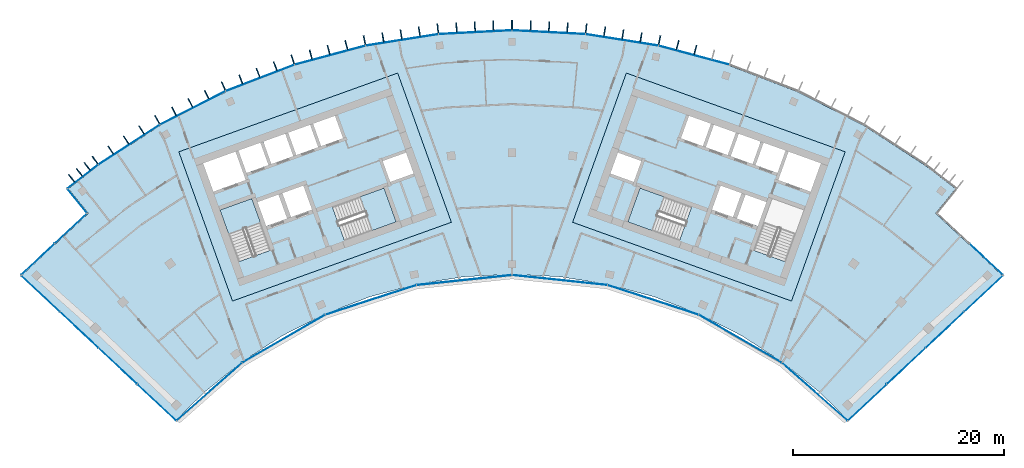
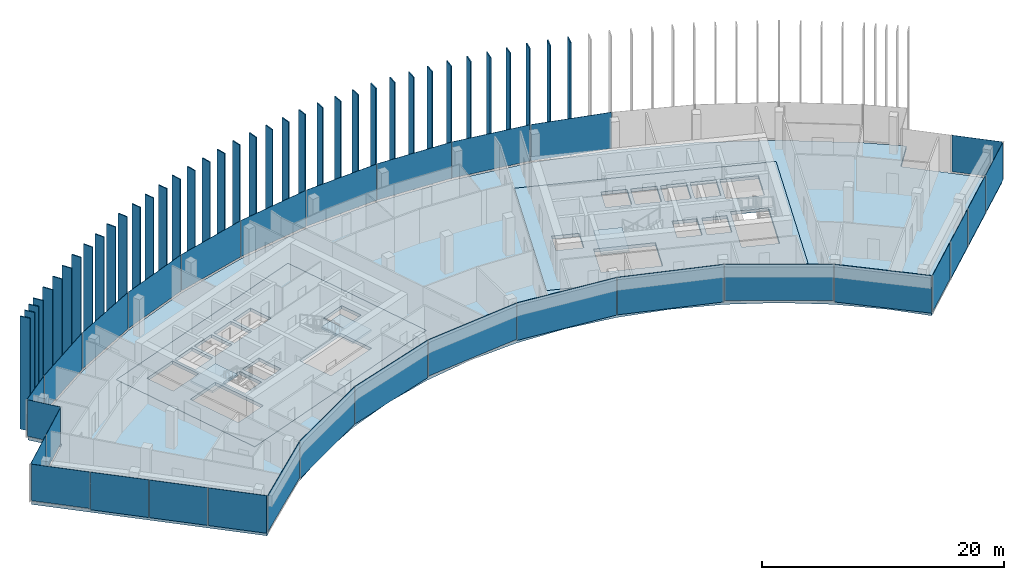
# One storey, part 11 of 18: 68 plates, 6 slabs, 10 elements without a shape of their own.
"""IFC4 building model written with IfcOpenShell, lengths in metres."""

from ifc_helpers import new_model, si_unit, direction, frame, origin, origin_2d, place, context, subcontext, project, spatial, polyline, rectangle, outline, extrude, material, layer, layer_set, type_object, element, aggregate, save


model = new_model("IFC4")

# Units and contexts
model_context = context("Model", 3, precision=1e-05, world=origin(), true_north=direction((0.0, 1.0)))
body_context = subcontext(model_context, "Body", "Model", "MODEL_VIEW")
ifc_project = project(units=[si_unit("LENGTHUNIT", "METRE"), si_unit("AREAUNIT", "SQUARE_METRE"), si_unit("VOLUMEUNIT", "CUBIC_METRE"), si_unit("PLANEANGLEUNIT", "RADIAN"), si_unit("MASSUNIT", "GRAM", prefix="KILO")], contexts=[model_context])

# Site, building, storey
site_placement = place(None, origin())
site = spatial("IfcSite", under=ifc_project, at=site_placement, CompositionType="ELEMENT")
building_placement = place(site_placement, origin())
building = spatial("IfcBuilding", under=site, at=building_placement, Name="Stone Belt Terrace Tower", CompositionType="ELEMENT")
storey_placement = place(building_placement, frame((0.0, 0.0, 269.39990234375)))
storey = spatial("IfcBuildingStorey", under=building, at=storey_placement, Name="L65", CompositionType="ELEMENT", Elevation=269.39990234375)

# Curtain wall, plates
ifc_material_1 = material(Name="Aluminium 6063-T6 anodised frame", Category="aluminium")
ifc_layer_1 = layer(ifc_material_1, 0.14990234375)
ifc_layer_set_1 = layer_set([ifc_layer_1], Name="CW-A unitised convex-face curtain wall")
curtain_wall_type_1 = type_object("IfcCurtainWallType", Name="CW-A unitised convex-face curtain wall", PredefinedType="NOTDEFINED", material=ifc_layer_set_1)
curtain_wall_1_placement = place(storey_placement, origin())
curtain_wall_1 = element("IfcCurtainWall", 1, at=curtain_wall_1_placement, inside=storey, type_object=curtain_wall_type_1, Name="CW-A convex face L65", PredefinedType="NOTDEFINED")
ifc_material_2 = material(Name="Clear double glazed unit")
ifc_layer_2 = layer(ifc_material_2, 0.031982421875)
ifc_layer_set_2 = layer_set([ifc_layer_2], Name="CW-A glass panel 32")
plate_type_1 = type_object("IfcPlateType", Name="CW-A glass panel 32", PredefinedType="CURTAIN_PANEL", material=ifc_layer_set_2)
plate_1_placement = place(storey_placement, frame((17.207275390625, 64.218505859375, 0.14013671875), z_axis=(0.0, 0.0, 1.0), x_axis=(-0.965925826289, 0.258819045103, 0.0)))
plate_1 = element("IfcPlate", 2, at=plate_1_placement, type_object=plate_type_1, Name="CW-A panel 5.1", PredefinedType="CURTAIN_PANEL", context=body_context, shape_type="SweptSolid", body=[
    extrude(rectangle(XDim=6.90087890625, YDim=0.031982421875, at=origin_2d()), origin(), (0.0, 0.0, 1.0), 3.659912109375),
])
plate_2_placement = place(storey_placement, frame((10.400390625, 65.665283203125, 0.14013671875), z_axis=(0.0, 0.0, 1.0), x_axis=(-0.987688340595, 0.15643446504, 0.0)))
plate_2 = element("IfcPlate", 3, at=plate_2_placement, type_object=plate_type_1, Name="CW-A panel 6.1", PredefinedType="CURTAIN_PANEL", context=body_context, shape_type="SweptSolid", body=[
    extrude(rectangle(XDim=6.90087890625, YDim=0.031982421875, at=origin_2d()), origin(), (0.0, 0.0, 1.0), 3.659912109375),
])
plate_3_placement = place(storey_placement, frame((3.4794921875, 66.392822265625, 0.14013671875), z_axis=(0.0, 0.0, 1.0), x_axis=(-0.998629534755, 0.052335956243, 0.0)))
plate_3 = element("IfcPlate", 4, at=plate_3_placement, type_object=plate_type_1, Name="CW-A panel 7.1", PredefinedType="CURTAIN_PANEL", context=body_context, shape_type="SweptSolid", body=[
    extrude(rectangle(XDim=6.90087890625, YDim=0.031982421875, at=origin_2d()), origin(), (0.0, 0.0, 1.0), 3.659912109375),
])
plate_4_placement = place(storey_placement, frame((-3.4794921875, 66.392822265625, 0.14013671875), z_axis=(0.0, 0.0, 1.0), x_axis=(-0.998629534755, -0.052335956243, 0.0)))
plate_4 = element("IfcPlate", 5, at=plate_4_placement, type_object=plate_type_1, Name="CW-A panel 8.1", PredefinedType="CURTAIN_PANEL", context=body_context, shape_type="SweptSolid", body=[
    extrude(rectangle(XDim=6.90087890625, YDim=0.031982421875, at=origin_2d()), origin(), (0.0, 0.0, 1.0), 3.659912109375),
])
plate_5_placement = place(storey_placement, frame((-10.400390625, 65.665283203125, 0.14013671875), z_axis=(0.0, 0.0, 1.0), x_axis=(-0.987688340595, -0.15643446504, 0.0)))
plate_5 = element("IfcPlate", 6, at=plate_5_placement, type_object=plate_type_1, Name="CW-A panel 9.1", PredefinedType="CURTAIN_PANEL", context=body_context, shape_type="SweptSolid", body=[
    extrude(rectangle(XDim=6.90087890625, YDim=0.031982421875, at=origin_2d()), origin(), (0.0, 0.0, 1.0), 3.659912109375),
])
plate_6_placement = place(storey_placement, frame((-17.207275390625, 64.218505859375, 0.14013671875), z_axis=(0.0, 0.0, 1.0), x_axis=(-0.965925826289, -0.258819045103, 0.0)))
plate_6 = element("IfcPlate", 7, at=plate_6_placement, type_object=plate_type_1, Name="CW-A panel 10.1", PredefinedType="CURTAIN_PANEL", context=body_context, shape_type="SweptSolid", body=[
    extrude(rectangle(XDim=6.90087890625, YDim=0.031982421875, at=origin_2d()), origin(), (0.0, 0.0, 1.0), 3.659912109375),
])
plate_7_placement = place(storey_placement, frame((-23.82568359375, 62.068115234375, 0.14013671875), z_axis=(0.0, 0.0, 1.0), x_axis=(-0.933580426497, -0.358367949545, 0.0)))
plate_7 = element("IfcPlate", 8, at=plate_7_placement, type_object=plate_type_1, Name="CW-A panel 11.1", PredefinedType="CURTAIN_PANEL", context=body_context, shape_type="SweptSolid", body=[
    extrude(rectangle(XDim=6.90087890625, YDim=0.031982421875, at=origin_2d()), origin(), (0.0, 0.0, 1.0), 3.659912109375),
])
plate_8_placement = place(storey_placement, frame((-30.18310546875, 59.237548828125, 0.14013671875), z_axis=(0.0, 0.0, 1.0), x_axis=(-0.891006524188, -0.45399049974, 0.0)))
plate_8 = element("IfcPlate", 9, at=plate_8_placement, type_object=plate_type_1, Name="CW-A panel 12.1", PredefinedType="CURTAIN_PANEL", context=body_context, shape_type="SweptSolid", body=[
    extrude(rectangle(XDim=6.90087890625, YDim=0.031982421875, at=origin_2d()), origin(), (0.0, 0.0, 1.0), 3.659912109375),
])
plate_9_placement = place(storey_placement, frame((-36.209716796875, 55.758056640625, 0.14013671875), z_axis=(0.0, 0.0, 1.0), x_axis=(-0.838670567945, -0.544639035015, 0.0)))
plate_9 = element("IfcPlate", 10, at=plate_9_placement, type_object=plate_type_1, Name="CW-A panel 13.1", PredefinedType="CURTAIN_PANEL", context=body_context, shape_type="SweptSolid", body=[
    extrude(rectangle(XDim=6.900634765625, YDim=0.031982421875, at=origin_2d()), origin(), (0.0, 0.0, 1.0), 3.659912109375),
])
plate_10_placement = place(storey_placement, frame((-40.583251953125, 52.744140625, 0.14013671875), z_axis=(0.0, 0.0, 1.0), x_axis=(-0.792693871824, -0.60961990254, 0.0)))
plate_10 = element("IfcPlate", 11, at=plate_10_placement, type_object=plate_type_1, Name="CW-A panel 14.1", PredefinedType="CURTAIN_PANEL", context=body_context, shape_type="SweptSolid", body=[
    extrude(rectangle(XDim=3.597900390625, YDim=0.031982421875, at=origin_2d()), origin(), (0.0, 0.0, 1.0), 3.659912109375),
])
aggregate(curtain_wall_1, [plate_1, plate_2, plate_3, plate_4, plate_5, plate_6, plate_7, plate_8, plate_9, plate_10])

ifc_layer_3 = layer(ifc_material_1, 0.14990234375)
ifc_layer_set_3 = layer_set([ifc_layer_3], Name="CW-B unitised concave-face curtain wall")
curtain_wall_type_2 = type_object("IfcCurtainWallType", Name="CW-B unitised concave-face curtain wall", PredefinedType="NOTDEFINED", material=ifc_layer_set_3)
curtain_wall_2_placement = place(storey_placement, origin())
curtain_wall_2 = element("IfcCurtainWall", 12, at=curtain_wall_2_placement, inside=storey, type_object=curtain_wall_type_2, Name="CW-B concave face L65", PredefinedType="NOTDEFINED")
ifc_layer_4 = layer(ifc_material_2, 0.030029296875)
ifc_layer_set_4 = layer_set([ifc_layer_4], Name="CW-B glass panel 30")
plate_type_2 = type_object("IfcPlateType", Name="CW-B glass panel 30", PredefinedType="CURTAIN_PANEL", material=ifc_layer_set_4)
plate_11_placement = place(storey_placement, frame((-28.624755859375, 32.39404296875, 0.1201171875), z_axis=(0.0, 0.0, 1.0), x_axis=(0.749658646805, 0.661824684694, 0.0)))
plate_11 = element("IfcPlate", 13, at=plate_11_placement, type_object=plate_type_2, Name="CW-B panel 1.1", PredefinedType="CURTAIN_PANEL", context=body_context, shape_type="SweptSolid", body=[
    extrude(rectangle(XDim=8.2060546875, YDim=0.030029296875, at=origin_2d()), origin(), (0.0, 0.0, 1.0), 3.679931640625),
])
plate_12_placement = place(storey_placement, frame((-21.59375, 37.400634765625, 0.0), z_axis=(0.0, 0.0, 1.0), x_axis=(0.866025403784, 0.5, 0.0)))
plate_12 = element("IfcPlate", 14, at=plate_12_placement, type_object=plate_type_2, Name="CW-B panel 2.1", PredefinedType="CURTAIN_PANEL", context=body_context, shape_type="SweptSolid", body=[
    extrude(rectangle(XDim=9.013427734375, YDim=0.030029296875, at=origin_2d()), origin(), (0.0, 0.0, 1.0), 3.800048828125),
])
plate_13_placement = place(storey_placement, frame((-13.345458984375, 41.072998046875, 0.0), z_axis=(0.0, 0.0, 1.0), x_axis=(0.951056516295, 0.309016994375, 0.0)))
plate_13 = element("IfcPlate", 15, at=plate_13_placement, type_object=plate_type_2, Name="CW-B panel 3.1", PredefinedType="CURTAIN_PANEL", context=body_context, shape_type="SweptSolid", body=[
    extrude(rectangle(XDim=9.0126953125, YDim=0.030029296875, at=origin_2d()), origin(), (0.0, 0.0, 1.0), 3.800048828125),
])
plate_14_placement = place(storey_placement, frame((-4.51416015625, 42.9501953125, 0.1201171875), z_axis=(0.0, 0.0, 1.0), x_axis=(0.994521895368, 0.104528463268, 0.0)))
plate_14 = element("IfcPlate", 16, at=plate_14_placement, type_object=plate_type_2, Name="CW-B panel 4.1", PredefinedType="CURTAIN_PANEL", context=body_context, shape_type="SweptSolid", body=[
    extrude(rectangle(XDim=9.0126953125, YDim=0.030029296875, at=origin_2d()), origin(), (0.0, 0.0, 1.0), 3.679931640625),
])
plate_15_placement = place(storey_placement, frame((4.51416015625, 42.9501953125, 0.0), z_axis=(0.0, 0.0, 1.0), x_axis=(0.994521895368, -0.104528463268, 0.0)))
plate_15 = element("IfcPlate", 17, at=plate_15_placement, type_object=plate_type_2, Name="CW-B panel 5.1", PredefinedType="CURTAIN_PANEL", context=body_context, shape_type="SweptSolid", body=[
    extrude(rectangle(XDim=9.0126953125, YDim=0.030029296875, at=origin_2d()), origin(), (0.0, 0.0, 1.0), 3.800048828125),
])
plate_16_placement = place(storey_placement, frame((13.345458984375, 41.072998046875, 0.0), z_axis=(0.0, 0.0, 1.0), x_axis=(0.951056516295, -0.309016994375, 0.0)))
plate_16 = element("IfcPlate", 18, at=plate_16_placement, type_object=plate_type_2, Name="CW-B panel 6.1", PredefinedType="CURTAIN_PANEL", context=body_context, shape_type="SweptSolid", body=[
    extrude(rectangle(XDim=9.0126953125, YDim=0.030029296875, at=origin_2d()), origin(), (0.0, 0.0, 1.0), 3.800048828125),
])
plate_17_placement = place(storey_placement, frame((21.59375, 37.400634765625, 0.1201171875), z_axis=(0.0, 0.0, 1.0), x_axis=(0.866025403784, -0.5, 0.0)))
plate_17 = element("IfcPlate", 19, at=plate_17_placement, type_object=plate_type_2, Name="CW-B panel 7.1", PredefinedType="CURTAIN_PANEL", context=body_context, shape_type="SweptSolid", body=[
    extrude(rectangle(XDim=9.013427734375, YDim=0.030029296875, at=origin_2d()), origin(), (0.0, 0.0, 1.0), 3.679931640625),
])
plate_18_placement = place(storey_placement, frame((28.624755859375, 32.39404296875, 0.0), z_axis=(0.0, 0.0, 1.0), x_axis=(0.749658646805, -0.661824684694, 0.0)))
plate_18 = element("IfcPlate", 20, at=plate_18_placement, type_object=plate_type_2, Name="CW-B panel 8.1", PredefinedType="CURTAIN_PANEL", context=body_context, shape_type="SweptSolid", body=[
    extrude(rectangle(XDim=8.2060546875, YDim=0.030029296875, at=origin_2d()), origin(), (0.0, 0.0, 1.0), 3.800048828125),
])
aggregate(curtain_wall_2, [plate_11, plate_12, plate_13, plate_14, plate_15, plate_16, plate_17, plate_18])

ifc_layer_5 = layer(ifc_material_1, 0.14990234375)
ifc_layer_set_5 = layer_set([ifc_layer_5], Name="CW-C stick curtain wall, horn ends and notches")
curtain_wall_type_3 = type_object("IfcCurtainWallType", Name="CW-C stick curtain wall, horn ends and notches", PredefinedType="NOTDEFINED", material=ifc_layer_set_5)
curtain_wall_3_placement = place(storey_placement, origin())
curtain_wall_3 = element("IfcCurtainWall", 21, at=curtain_wall_3_placement, inside=storey, type_object=curtain_wall_type_3, Name="CW-C end face L65", PredefinedType="NOTDEFINED")
ifc_layer_6 = layer(ifc_material_2, 0.028076171875)
ifc_layer_set_6 = layer_set([ifc_layer_6], Name="CW-C glass panel 28")
plate_type_3 = type_object("IfcPlateType", Name="CW-C glass panel 28", PredefinedType="CURTAIN_PANEL", material=ifc_layer_set_6)
plate_19_placement = place(storey_placement, frame((33.617431640625, 31.3798828125, 0.1201171875), z_axis=(0.0, 0.0, 1.0), x_axis=(0.729904219708, 0.683549434973, 0.0)))
plate_19 = element("IfcPlate", 22, at=plate_19_placement, type_object=plate_type_3, Name="CW-C panel 1.1", PredefinedType="CURTAIN_PANEL", context=body_context, shape_type="SweptSolid", body=[
    extrude(rectangle(XDim=4.965576171875, YDim=0.028076171875, at=origin_2d()), origin(), (0.0, 0.0, 1.0), 3.679931640625),
])
plate_20_placement = place(storey_placement, frame((37.2763671875, 34.806396484375, 0.0), z_axis=(0.0, 0.0, 1.0), x_axis=(0.729904219708, 0.683549434973, 0.0)))
plate_20 = element("IfcPlate", 23, at=plate_20_placement, type_object=plate_type_3, Name="CW-C panel 2.1", PredefinedType="CURTAIN_PANEL", context=body_context, shape_type="SweptSolid", body=[
    extrude(rectangle(XDim=4.93994140625, YDim=0.028076171875, at=origin_2d()), origin(), (0.0, 0.0, 1.0), 3.800048828125),
])
plate_21_placement = place(storey_placement, frame((40.92578125, 38.22412109375, 0.0), z_axis=(0.0, 0.0, 1.0), x_axis=(0.729904219708, 0.683549434973, 0.0)))
plate_21 = element("IfcPlate", 24, at=plate_21_placement, type_object=plate_type_3, Name="CW-C panel 3.1", PredefinedType="CURTAIN_PANEL", context=body_context, shape_type="SweptSolid", body=[
    extrude(rectangle(XDim=4.93994140625, YDim=0.028076171875, at=origin_2d()), origin(), (0.0, 0.0, 1.0), 3.800048828125),
])
plate_22_placement = place(storey_placement, frame((44.588134765625, 41.65380859375, 0.0), z_axis=(0.0, 0.0, 1.0), x_axis=(0.729904219708, 0.683549434973, 0.0)))
plate_22 = element("IfcPlate", 25, at=plate_22_placement, type_object=plate_type_3, Name="CW-C panel 4.1", PredefinedType="CURTAIN_PANEL", context=body_context, shape_type="SweptSolid", body=[
    extrude(rectangle(XDim=4.974853515625, YDim=0.028076171875, at=origin_2d()), origin(), (0.0, 0.0, 1.0), 3.800048828125),
])
aggregate(curtain_wall_3, [plate_19, plate_20, plate_21, plate_22])

# Curtain wall, plate
curtain_wall_4_placement = place(storey_placement, origin())
curtain_wall_4 = element("IfcCurtainWall", 26, at=curtain_wall_4_placement, inside=storey, type_object=curtain_wall_type_3, Name="CW-C notch face L65", PredefinedType="NOTDEFINED")
plate_23_placement = place(storey_placement, frame((44.8427734375, 44.91259765625, 0.1201171875), z_axis=(0.0, 0.0, 1.0), x_axis=(-0.731339333871, 0.682013767261, 0.0)))
plate_23 = element("IfcPlate", 27, at=plate_23_placement, type_object=plate_type_3, Name="CW-C panel 1.1", PredefinedType="CURTAIN_PANEL", context=body_context, shape_type="SweptSolid", body=[
    extrude(rectangle(XDim=4.268798828125, YDim=0.028076171875, at=origin_2d()), origin(), (0.0, 0.0, 1.0), 3.679931640625),
])
aggregate(curtain_wall_4, [plate_23])

curtain_wall_5_placement = place(storey_placement, origin())
curtain_wall_5 = element("IfcCurtainWall", 28, at=curtain_wall_5_placement, inside=storey, type_object=curtain_wall_type_3, Name="CW-C notch face L65", PredefinedType="NOTDEFINED")
plate_24_placement = place(storey_placement, frame((-41.119140625, 50.43505859375, 0.1201171875), z_axis=(0.0, 0.0, 1.0), x_axis=(0.631001485542, -0.775781622136, 0.0)))
plate_24 = element("IfcPlate", 29, at=plate_24_placement, type_object=plate_type_3, Name="CW-C panel 1.1", PredefinedType="CURTAIN_PANEL", context=body_context, shape_type="SweptSolid", body=[
    extrude(rectangle(XDim=2.859130859375, YDim=0.028076171875, at=origin_2d()), origin(), (0.0, 0.0, 1.0), 3.679931640625),
])
aggregate(curtain_wall_5, [plate_24])

# Curtain wall, plates
curtain_wall_6_placement = place(storey_placement, origin())
curtain_wall_6 = element("IfcCurtainWall", 30, at=curtain_wall_6_placement, inside=storey, type_object=curtain_wall_type_3, Name="CW-C notch face L65", PredefinedType="NOTDEFINED")
plate_25_placement = place(storey_placement, frame((-41.731201171875, 47.814208984375, 0.1201171875), z_axis=(0.0, 0.0, 1.0), x_axis=(-0.731339333871, -0.682013767261, 0.0)))
plate_25 = element("IfcPlate", 31, at=plate_25_placement, type_object=plate_type_3, Name="CW-C panel 1.1", PredefinedType="CURTAIN_PANEL", context=body_context, shape_type="SweptSolid", body=[
    extrude(rectangle(XDim=4.12060546875, YDim=0.028076171875, at=origin_2d()), origin(), (0.0, 0.0, 1.0), 3.679931640625),
])
plate_26_placement = place(storey_placement, frame((-44.8427734375, 44.91259765625, 0.0), z_axis=(0.0, 0.0, 1.0), x_axis=(-0.731339333871, -0.682013767261, 0.0)))
plate_26 = element("IfcPlate", 32, at=plate_26_placement, type_object=plate_type_3, Name="CW-C panel 2.1", PredefinedType="CURTAIN_PANEL", context=body_context, shape_type="SweptSolid", body=[
    extrude(rectangle(XDim=4.268798828125, YDim=0.028076171875, at=origin_2d()), origin(), (0.0, 0.0, 1.0), 3.800048828125),
])
aggregate(curtain_wall_6, [plate_25, plate_26])

curtain_wall_7_placement = place(storey_placement, origin())
curtain_wall_7 = element("IfcCurtainWall", 33, at=curtain_wall_7_placement, inside=storey, type_object=curtain_wall_type_3, Name="CW-C end face L65", PredefinedType="NOTDEFINED")
plate_27_placement = place(storey_placement, frame((-44.588134765625, 41.65380859375, 0.1201171875), z_axis=(0.0, 0.0, 1.0), x_axis=(0.729904219708, -0.683549434973, 0.0)))
plate_27 = element("IfcPlate", 34, at=plate_27_placement, type_object=plate_type_3, Name="CW-C panel 1.1", PredefinedType="CURTAIN_PANEL", context=body_context, shape_type="SweptSolid", body=[
    extrude(rectangle(XDim=4.974853515625, YDim=0.028076171875, at=origin_2d()), origin(), (0.0, 0.0, 1.0), 3.679931640625),
])
plate_28_placement = place(storey_placement, frame((-40.92578125, 38.22412109375, 0.0), z_axis=(0.0, 0.0, 1.0), x_axis=(0.729904219708, -0.683549434973, 0.0)))
plate_28 = element("IfcPlate", 35, at=plate_28_placement, type_object=plate_type_3, Name="CW-C panel 2.1", PredefinedType="CURTAIN_PANEL", context=body_context, shape_type="SweptSolid", body=[
    extrude(rectangle(XDim=4.93994140625, YDim=0.028076171875, at=origin_2d()), origin(), (0.0, 0.0, 1.0), 3.800048828125),
])
plate_29_placement = place(storey_placement, frame((-37.2763671875, 34.806396484375, 0.0), z_axis=(0.0, 0.0, 1.0), x_axis=(0.729904219708, -0.683549434973, 0.0)))
plate_29 = element("IfcPlate", 36, at=plate_29_placement, type_object=plate_type_3, Name="CW-C panel 3.1", PredefinedType="CURTAIN_PANEL", context=body_context, shape_type="SweptSolid", body=[
    extrude(rectangle(XDim=4.93994140625, YDim=0.028076171875, at=origin_2d()), origin(), (0.0, 0.0, 1.0), 3.800048828125),
])
plate_30_placement = place(storey_placement, frame((-33.617431640625, 31.3798828125, 0.0), z_axis=(0.0, 0.0, 1.0), x_axis=(0.729904219708, -0.683549434973, 0.0)))
plate_30 = element("IfcPlate", 37, at=plate_30_placement, type_object=plate_type_3, Name="CW-C panel 4.1", PredefinedType="CURTAIN_PANEL", context=body_context, shape_type="SweptSolid", body=[
    extrude(rectangle(XDim=4.965576171875, YDim=0.028076171875, at=origin_2d()), origin(), (0.0, 0.0, 1.0), 3.800048828125),
])
aggregate(curtain_wall_7, [plate_27, plate_28, plate_29, plate_30])

# Slabs
ifc_material_3 = material(Name="Concrete B40", Category="concrete")
ifc_layer_7 = layer(ifc_material_3, 0.320068359375)
ifc_layer_set_7 = layer_set([ifc_layer_7], Name="Core floor slab 320")
slab_type_1 = type_object("IfcSlabType", Name="Core floor slab 320", PredefinedType="FLOOR", material=ifc_layer_set_7)
slab_1_placement = place(storey_placement, frame((0.0, 0.0, -0.31982421875)))
element("IfcSlab", 38, at=slab_1_placement, inside=storey, type_object=slab_type_1, Name="Core A floor L65", PredefinedType="FLOOR", context=body_context, shape_type="SweptSolid", body=[
    extrude(outline(polyline([(-26.43505859375, 40.968994140625), (-5.735107421875, 48.4189453125), (-10.81396484375, 62.531982421875), (-31.513916015625, 55.0830078125), (-26.43505859375, 40.968994140625)]), holes=[polyline([(-24.60791015625, 50.659912109375), (-22.847900390625, 45.76806640625), (-25.85888671875, 44.68408203125), (-27.618896484375, 49.575927734375), (-24.60791015625, 50.659912109375)]), polyline([(-10.955078125, 48.452880859375), (-15.846923828125, 46.69189453125), (-16.998046875, 49.89208984375), (-12.10595703125, 51.652099609375), (-10.955078125, 48.452880859375)]), polyline([(-22.0869140625, 51.035888671875), (-21.27392578125, 48.778076171875), (-23.25, 48.06689453125), (-24.06298828125, 50.324951171875), (-22.0869140625, 51.035888671875)]), polyline([(-18.922119140625, 49.6240234375), (-20.89794921875, 48.9130859375), (-21.7109375, 51.1708984375), (-19.735107421875, 51.883056640625), (-18.922119140625, 49.6240234375)]), polyline([(-29.2109375, 53.9990234375), (-26.153076171875, 55.09912109375), (-25.18798828125, 52.41796875), (-28.24609375, 51.31689453125), (-29.2109375, 53.9990234375)]), polyline([(-10.01904296875, 55.007080078125), (-9.30810546875, 53.031005859375), (-11.51904296875, 52.235107421875), (-12.22998046875, 54.2109375), (-10.01904296875, 55.007080078125)]), polyline([(-25.87109375, 55.200927734375), (-23.801025390625, 55.946044921875), (-23.0390625, 53.8291015625), (-25.10888671875, 53.083984375), (-25.87109375, 55.200927734375)]), polyline([(-23.51806640625, 56.047119140625), (-21.447998046875, 56.7919921875), (-20.68603515625, 54.675048828125), (-22.756103515625, 53.929931640625), (-23.51806640625, 56.047119140625)]), polyline([(-19.095947265625, 57.638916015625), (-18.333984375, 55.52197265625), (-20.404052734375, 54.777099609375), (-21.166015625, 56.89404296875), (-19.095947265625, 57.638916015625)]), polyline([(-16.743896484375, 58.485107421875), (-15.98193359375, 56.367919921875), (-18.052001953125, 55.623046875), (-18.81396484375, 57.739990234375), (-16.743896484375, 58.485107421875)])]), origin(), (0.0, 0.0, 1.0), 0.31982421875),
])
slab_2_placement = place(storey_placement, frame((0.0, 0.0, -0.31982421875)))
element("IfcSlab", 39, at=slab_2_placement, inside=storey, type_object=slab_type_1, Name="Core B floor L65", PredefinedType="FLOOR", context=body_context, shape_type="SweptSolid", body=[
    extrude(outline(polyline([(26.43505859375, 40.968994140625), (31.513916015625, 55.0830078125), (10.81396484375, 62.531982421875), (5.735107421875, 48.4189453125), (26.43505859375, 40.968994140625)]), holes=[polyline([(27.618896484375, 49.575927734375), (25.85888671875, 44.68408203125), (22.847900390625, 45.76806640625), (24.60791015625, 50.659912109375), (27.618896484375, 49.575927734375)]), polyline([(12.10595703125, 51.652099609375), (16.998046875, 49.89208984375), (15.846923828125, 46.69189453125), (10.955078125, 48.452880859375), (12.10595703125, 51.652099609375)]), polyline([(23.25, 48.06689453125), (21.27392578125, 48.778076171875), (22.0869140625, 51.035888671875), (24.06298828125, 50.324951171875), (23.25, 48.06689453125)]), polyline([(18.922119140625, 49.6240234375), (19.735107421875, 51.883056640625), (21.7109375, 51.1708984375), (20.89794921875, 48.9130859375), (18.922119140625, 49.6240234375)]), polyline([(29.2109375, 53.9990234375), (28.24609375, 51.31689453125), (25.18798828125, 52.41796875), (26.153076171875, 55.09912109375), (29.2109375, 53.9990234375)]), polyline([(11.51904296875, 52.235107421875), (9.30810546875, 53.031005859375), (10.01904296875, 55.007080078125), (12.22998046875, 54.2109375), (11.51904296875, 52.235107421875)]), polyline([(23.0390625, 53.8291015625), (23.801025390625, 55.946044921875), (25.87109375, 55.200927734375), (25.10888671875, 53.083984375), (23.0390625, 53.8291015625)]), polyline([(20.68603515625, 54.675048828125), (21.447998046875, 56.7919921875), (23.51806640625, 56.047119140625), (22.756103515625, 53.929931640625), (20.68603515625, 54.675048828125)]), polyline([(19.095947265625, 57.638916015625), (21.166015625, 56.89404296875), (20.404052734375, 54.777099609375), (18.333984375, 55.52197265625), (19.095947265625, 57.638916015625)]), polyline([(16.743896484375, 58.485107421875), (18.81396484375, 57.739990234375), (18.052001953125, 55.623046875), (15.98193359375, 56.367919921875), (16.743896484375, 58.485107421875)])]), origin(), (0.0, 0.0, 1.0), 0.31982421875),
])
ifc_layer_8 = layer(ifc_material_3, 0.320068359375)
ifc_layer_set_8 = layer_set([ifc_layer_8], Name="Floor slab 320 B40")
slab_type_2 = type_object("IfcSlabType", Name="Floor slab 320 B40", PredefinedType="FLOOR", material=ifc_layer_set_8)
slab_3_placement = place(storey_placement, frame((0.0, 0.0, -0.31982421875)))
element("IfcSlab", 40, at=slab_3_placement, inside=storey, type_object=slab_type_2, Name="Floor slab L65", PredefinedType="FLOOR", context=body_context, shape_type="SweptSolid", body=[
    extrude(outline(polyline([(-40.068603515625, 49.26220703125), (-41.961669921875, 51.589599609375), (-39.087646484375, 53.799560546875), (-33.25, 57.5908203125), (-27.048095703125, 60.750732421875), (-20.549560546875, 63.245361328125), (-13.826171875, 65.046875), (-6.951171875, 66.1357421875), (0.0, 66.5), (6.951171875, 66.1357421875), (13.826171875, 65.046875), (20.549560546875, 63.245361328125), (27.048095703125, 60.750732421875), (33.25, 57.5908203125), (39.087646484375, 53.799560546875), (41.961669921875, 51.589599609375), (40.068603515625, 49.26220703125), (46.348876953125, 43.405517578125), (31.750732421875, 29.734375), (29.107177734375, 32.326904296875), (25.568603515625, 35.192138671875), (21.75, 37.672119140625), (17.693115234375, 39.7392578125), (13.442138671875, 41.37109375), (9.044189453125, 42.54931640625), (4.547119140625, 43.26171875), (0.0, 43.5), (-4.547119140625, 43.26171875), (-9.044189453125, 42.54931640625), (-13.442138671875, 41.37109375), (-17.693115234375, 39.7392578125), (-21.75, 37.672119140625), (-25.568603515625, 35.192138671875), (-29.107177734375, 32.326904296875), (-31.750732421875, 29.734375), (-46.348876953125, 43.405517578125), (-40.068603515625, 49.26220703125)]), holes=[polyline([(-10.81396484375, 62.532470703125), (-31.51416015625, 55.082763671875), (-26.434814453125, 40.968994140625), (-5.734619140625, 48.418701171875), (-10.81396484375, 62.532470703125)]), polyline([(26.434814453125, 40.968994140625), (31.51416015625, 55.082763671875), (10.81396484375, 62.532470703125), (5.734619140625, 48.418701171875), (26.434814453125, 40.968994140625)])]), origin(), (0.0, 0.0, 1.0), 0.31982421875),
])

# Stair, slab
stair_type = type_object("IfcStairType", Name="Exit stair 1500", PredefinedType="HALF_TURN_STAIR", material=ifc_material_3)
stair_1_placement = place(storey_placement, origin())
stair_1 = element("IfcStair", 41, at=stair_1_placement, inside=storey, type_object=stair_type, Name="L65 Exit stair 1 core A", PredefinedType="HALF_TURN_STAIR")
ifc_layer_9 = layer(ifc_material_3, 0.199951171875)
ifc_layer_set_9 = layer_set([ifc_layer_9], Name="Stair landing 200")
slab_type_3 = type_object("IfcSlabType", Name="Stair landing 200", PredefinedType="LANDING", material=ifc_layer_set_9)
slab_4_placement = place(storey_placement, frame((0.0, 0.0, 1.7001953125)))
slab_4 = element("IfcSlab", 42, at=slab_4_placement, type_object=slab_type_3, Name="ST1A landing 1", PredefinedType="LANDING", context=body_context, shape_type="SweptSolid", body=[
    extrude(outline(polyline([(-23.79541015625, 48.40087890625), (-24.6083984375, 50.659912109375), (-27.619384765625, 49.576171875), (-26.806396484375, 47.3173828125), (-23.79541015625, 48.40087890625)])), origin(), (0.0, 0.0, 1.0), 0.199951171875),
])
aggregate(stair_1, [slab_4])

stair_2_placement = place(storey_placement, origin())
stair_2 = element("IfcStair", 43, at=stair_2_placement, inside=storey, type_object=stair_type, Name="L65 Exit stair 2 core A", PredefinedType="HALF_TURN_STAIR")
slab_5_placement = place(storey_placement, frame((0.0, 0.0, 1.7001953125)))
slab_5 = element("IfcSlab", 44, at=slab_5_placement, type_object=slab_type_3, Name="ST2A landing 1", PredefinedType="LANDING", context=body_context, shape_type="SweptSolid", body=[
    extrude(outline(polyline([(-13.213623046875, 47.64013671875), (-10.95458984375, 48.453125), (-12.10595703125, 51.652099609375), (-14.36474609375, 50.839111328125), (-13.213623046875, 47.64013671875)])), origin(), (0.0, 0.0, 1.0), 0.199951171875),
])
aggregate(stair_2, [slab_5])

stair_3_placement = place(storey_placement, origin())
stair_3 = element("IfcStair", 45, at=stair_3_placement, inside=storey, type_object=stair_type, Name="L65 Exit stair 2 core B", PredefinedType="HALF_TURN_STAIR")
slab_6_placement = place(storey_placement, frame((0.0, 0.0, 1.7001953125)))
slab_6 = element("IfcSlab", 46, at=slab_6_placement, type_object=slab_type_3, Name="ST2B landing 1", PredefinedType="LANDING", context=body_context, shape_type="SweptSolid", body=[
    extrude(outline(polyline([(14.36474609375, 50.839111328125), (12.10595703125, 51.652099609375), (10.95458984375, 48.453125), (13.213623046875, 47.64013671875), (14.36474609375, 50.839111328125)])), origin(), (0.0, 0.0, 1.0), 0.199951171875),
])
aggregate(stair_3, [slab_6])

# Plates
ifc_material_4 = material(Name="Terracotta coloured glazed ceramic", Category="masonry")
ifc_layer_10 = layer(ifc_material_4, 0.10009765625)
ifc_layer_set_10 = layer_set([ifc_layer_10], Name="Terracotta fin 100 x 900")
plate_type_4 = type_object("IfcPlateType", Name="Terracotta fin 100 x 900", PredefinedType="SHEET", material=ifc_layer_set_10)
for number, where, z_axis, x_axis, name in (
    (47, (17.34326171875, 64.7255859375, 0.000244140625), (0.0, 0.0, 1.0), (0.258819045103, 0.965925826289, 0.0), "FIN L65 5.3"),
    (48, (15.660400390625, 65.176513671875, 0.000244140625), (0.0, 0.0, 1.0), (0.258819045103, 0.965925826289, 0.0), "FIN L65 5.4"),
    (49, (13.950927734375, 65.6337890625, 0.000244140625), (0.0, 0.0, 1.0), (0.207911690818, 0.978147600734, 0.0), "FIN L65 6.1"),
    (50, (12.203125, 65.911376953125, 0.000244140625), (0.0, 0.0, 1.0), (0.15643446504, 0.987688340595, 0.0), "FIN L65 6.2"),
    (51, (10.482421875, 66.183837890625, 0.000244140625), (0.0, 0.0, 1.0), (0.15643446504, 0.987688340595, 0.0), "FIN L65 6.3"),
    (52, (8.76171875, 66.456298828125, 0.000244140625), (0.0, 0.0, 1.0), (0.15643446504, 0.987688340595, 0.0), "FIN L65 6.4"),
    (53, (7.013916015625, 66.732421875, 0.000244140625), (0.0, 0.0, 1.0), (0.104528463268, 0.994521895368, 0.0), "FIN L65 7.1"),
    (54, (5.246826171875, 66.825927734375, 0.000244140625), (0.0, 0.0, 1.0), (0.052335956243, 0.998629534755, 0.0), "FIN L65 7.2"),
    (55, (3.507080078125, 66.9169921875, 0.000244140625), (0.0, 0.0, 1.0), (0.052335956243, 0.998629534755, 0.0), "FIN L65 7.3"),
    (56, (1.767333984375, 67.00830078125, 0.000244140625), (0.0, 0.0, 1.0), (0.052335956243, 0.998629534755, 0.0), "FIN L65 7.4"),
    (57, (0.0, 67.10009765625, 0.000244140625), (0.0, 0.0, 1.0), (0.0, 1.0, 0.0), "FIN L65 8.1"),
    (58, (-1.767333984375, 67.00830078125, 0.000244140625), (0.0, 0.0, 1.0), (-0.052335956243, 0.998629534755, 0.0), "FIN L65 8.2"),
    (59, (-3.507080078125, 66.9169921875, 0.000244140625), (0.0, 0.0, 1.0), (-0.052335956243, 0.998629534755, 0.0), "FIN L65 8.3"),
    (60, (-5.246826171875, 66.825927734375, 0.000244140625), (0.0, 0.0, 1.0), (-0.052335956243, 0.998629534755, 0.0), "FIN L65 8.4"),
    (61, (-7.013916015625, 66.732421875, 0.000244140625), (0.0, 0.0, 1.0), (-0.104528463268, 0.994521895368, 0.0), "FIN L65 9.1"),
    (62, (-8.76171875, 66.456298828125, 0.000244140625), (0.0, 0.0, 1.0), (-0.15643446504, 0.987688340595, 0.0), "FIN L65 9.2"),
    (63, (-10.482421875, 66.183837890625, 0.000244140625), (0.0, 0.0, 1.0), (-0.15643446504, 0.987688340595, 0.0), "FIN L65 9.3"),
    (64, (-12.203125, 65.911376953125, 0.000244140625), (0.0, 0.0, 1.0), (-0.15643446504, 0.987688340595, 0.0), "FIN L65 9.4"),
    (65, (-13.950927734375, 65.6337890625, 0.000244140625), (0.0, 0.0, 1.0), (-0.207911690818, 0.978147600734, 0.0), "FIN L65 10.1"),
    (66, (-15.660400390625, 65.176513671875, 0.000244140625), (0.0, 0.0, 1.0), (-0.258819045103, 0.965925826289, 0.0), "FIN L65 10.2"),
    (67, (-17.34326171875, 64.7255859375, 0.000244140625), (0.0, 0.0, 1.0), (-0.258819045103, 0.965925826289, 0.0), "FIN L65 10.3"),
    (68, (-19.02587890625, 64.274658203125, 0.000244140625), (0.0, 0.0, 1.0), (-0.258819045103, 0.965925826289, 0.0), "FIN L65 10.4"),
    (69, (-20.735107421875, 63.81591796875, 0.000244140625), (0.0, 0.0, 1.0), (-0.309016994375, 0.951056516295, 0.0), "FIN L65 11.1"),
    (70, (-22.387451171875, 63.182373046875, 0.000244140625), (0.0, 0.0, 1.0), (-0.358367949545, 0.933580426497, 0.0), "FIN L65 11.2"),
    (71, (-24.013916015625, 62.55810546875, 0.000244140625), (0.0, 0.0, 1.0), (-0.358367949545, 0.933580426497, 0.0), "FIN L65 11.3"),
    (72, (-25.64013671875, 61.933837890625, 0.000244140625), (0.0, 0.0, 1.0), (-0.358367949545, 0.933580426497, 0.0), "FIN L65 11.4"),
    (73, (-27.2919921875, 61.299072265625, 0.000244140625), (0.0, 0.0, 1.0), (-0.406736643076, 0.913545457643, 0.0), "FIN L65 12.1"),
    (74, (-28.869140625, 60.496337890625, 0.000244140625), (0.0, 0.0, 1.0), (-0.45399049974, 0.891006524188, 0.0), "FIN L65 12.2"),
    (75, (-30.42138671875, 59.705322265625, 0.000244140625), (0.0, 0.0, 1.0), (-0.45399049974, 0.891006524188, 0.0), "FIN L65 12.3"),
    (76, (-31.9736328125, 58.914306640625, 0.000244140625), (0.0, 0.0, 1.0), (-0.45399049974, 0.891006524188, 0.0), "FIN L65 12.4"),
    (77, (-33.550048828125, 58.1103515625, 0.000244140625), (0.0, 0.0, 1.0), (-0.5, 0.866025403784, 0.0), "FIN L65 13.1"),
    (78, (-35.034423828125, 57.147216796875, 0.000244140625), (0.0, 0.0, 1.0), (-0.544639035015, 0.838670567945, 0.0), "FIN L65 13.2"),
    (79, (-36.495361328125, 56.19873046875, 0.000244140625), (0.0, 0.0, 1.0), (-0.544639035015, 0.838670567945, 0.0), "FIN L65 13.3"),
    (80, (-37.9560546875, 55.25, 0.000244140625), (0.0, 0.0, 1.0), (-0.544639035015, 0.838670567945, 0.0), "FIN L65 13.4"),
    (81, (-39.434326171875, 54.28955078125, 0.000244140625), (0.0, 0.0, 1.0), (-0.577587125789, 0.816329046477, 0.0), "FIN L65 14.1"),
    (82, (-40.185546875, 53.71240234375, 0.000244140625), (0.0, 0.0, 1.0), (-0.60961990254, 0.792693871824, 0.0), "FIN L65 14.2"),
    (83, (-40.919677734375, 53.147705078125, 0.000244140625), (0.0, 0.0, 1.0), (-0.60961990254, 0.792693871824, 0.0), "FIN L65 14.3"),
    (84, (-41.654052734375, 52.582763671875, 0.000244140625), (0.0, 0.0, 1.0), (-0.60961990254, 0.792693871824, 0.0), "FIN L65 14.4"),
):
    element("IfcPlate", number, at=place(storey_placement, frame(where, z_axis=z_axis, x_axis=x_axis)), inside=storey, type_object=plate_type_4, Name=name, PredefinedType="SHEET", context=body_context, shape_type="SweptSolid", body=[
        extrude(rectangle(XDim=0.89990234375, YDim=0.10009765625, at=origin_2d()), origin(), (0.0, 0.0, 1.0), 11.39990234375),
    ])

save(model, "model.ifc")
